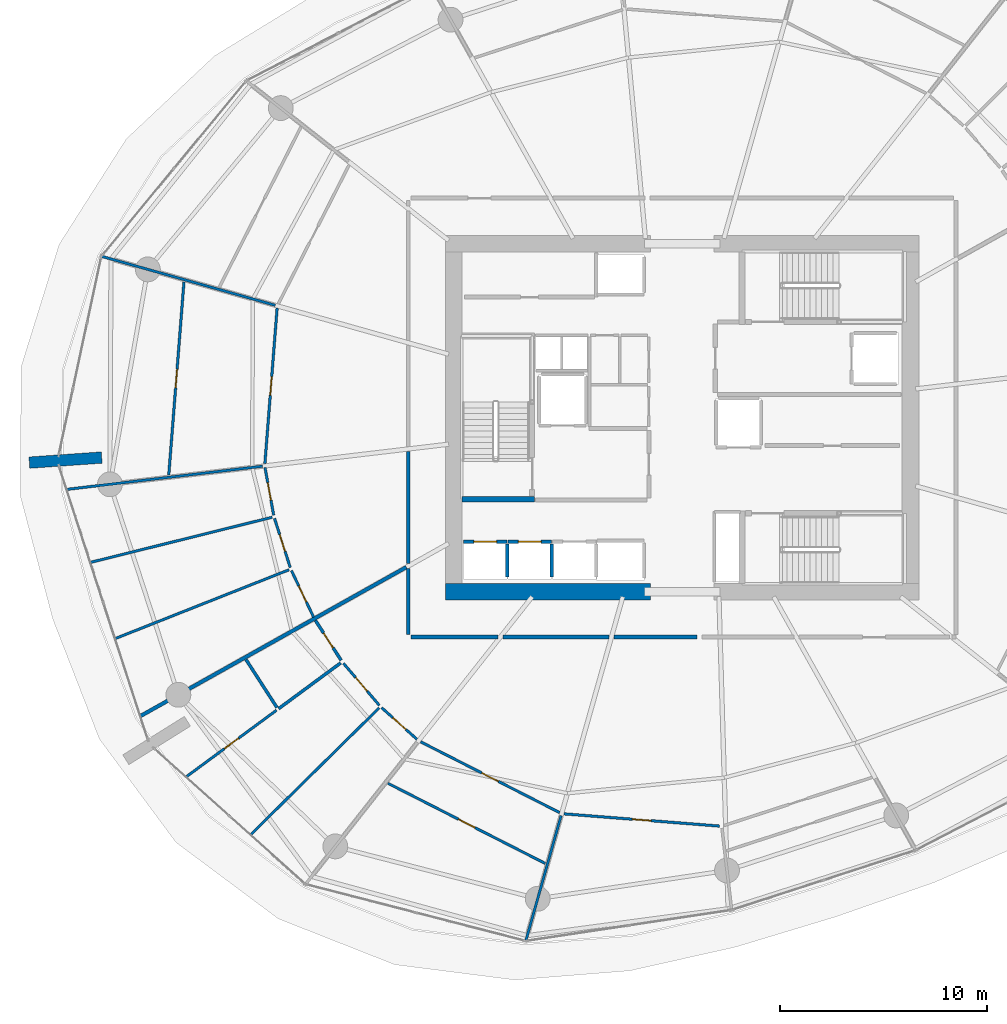
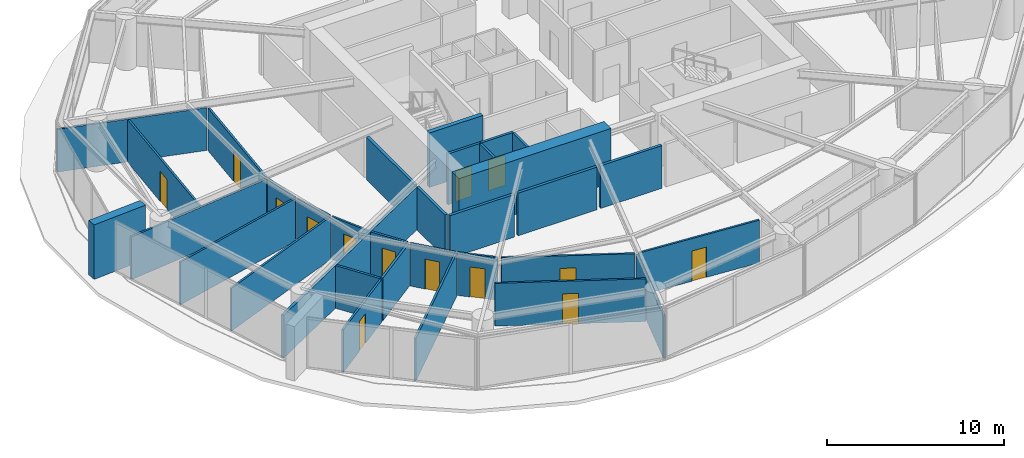
# One storey, part 12 of 17: 33 walls, 14 doors, 14 openings.
"""IFC4 building model written with IfcOpenShell, lengths in metres."""

from ifc_helpers import new_model, si_unit, direction, frame, frame_2d, origin, place, context, subcontext, project, spatial, rectangle, extrude, material, layer, layer_set, type_object, element, fill, save


model = new_model("IFC4")

# Units and contexts
model_context = context("Model", 3, precision=1e-05, world=origin(), true_north=direction((0.0, 1.0)))
body_context = subcontext(model_context, "Body", "Model", "MODEL_VIEW")
ifc_project = project(units=[si_unit("LENGTHUNIT", "METRE"), si_unit("AREAUNIT", "SQUARE_METRE"), si_unit("VOLUMEUNIT", "CUBIC_METRE"), si_unit("PLANEANGLEUNIT", "RADIAN"), si_unit("MASSUNIT", "GRAM", prefix="KILO")], contexts=[model_context])

# Site, building, storey
site_placement = place(None, origin())
site = spatial("IfcSite", under=ifc_project, at=site_placement, CompositionType="ELEMENT")
building_placement = place(site_placement, origin())
building = spatial("IfcBuilding", under=site, at=building_placement, Name="Kazma Halo Residences", CompositionType="ELEMENT")
storey_placement = place(building_placement, frame((0.0, 0.0, 75.14990234375)))
storey = spatial("IfcBuildingStorey", under=building, at=storey_placement, Name="L18", CompositionType="ELEMENT", Elevation=75.14990234375)

# Walls
ifc_material_1 = material(Name="Pale Concrete C60/75", Category="concrete")
ifc_layer_1 = layer(ifc_material_1, 0.550048828125)
ifc_layer_set_1 = layer_set([ifc_layer_1], Name="Pale Concrete C60/75")
wall_type_1 = type_object("IfcWallType", Name="WL-BLADE-550", PredefinedType="SOLIDWALL", material=ifc_layer_set_1)
wall_1_placement = place(storey_placement, frame((20.393798828125, 40.069580078125, 0.0), z_axis=(0.0, 0.0, 1.0), x_axis=(-0.997564163539, -0.069754853754, 0.0)))
element("IfcWall", 1, at=wall_1_placement, inside=storey, type_object=wall_type_1, Name="L18 pale concrete structural blade fin wall BW-02", PredefinedType="SOLIDWALL", context=body_context, shape_type="SweptSolid", body=[
    extrude(rectangle(XDim=3.5, YDim=0.550048828125, at=frame_2d((1.75, 0.0))), origin(), (0.0, 0.0, 1.0), 3.75),
])
ifc_material_2 = material(Name="Concrete C80/95", Category="concrete")
ifc_layer_2 = layer(ifc_material_2, 0.800048828125)
ifc_layer_set_2 = layer_set([ifc_layer_2], Name="Concrete C80/95")
wall_type_2 = type_object("IfcWallType", Name="WL-CORE-800", PredefinedType="SHEAR", material=ifc_layer_set_2)
wall_2_placement = place(storey_placement, frame((37.0, 33.60009765625, 0.0), z_axis=(0.0, 0.0, 1.0), x_axis=(1.0, 0.0, 0.0)))
element("IfcWall", 2, at=wall_2_placement, inside=storey, type_object=wall_type_2, Name="L18 central core shear wall SW", PredefinedType="SHEAR", context=body_context, shape_type="SweptSolid", body=[
    extrude(rectangle(XDim=9.89990234375, YDim=0.800048828125, at=frame_2d((4.949951171875, 0.0))), origin(), (0.0, 0.0, 1.0), 3.75),
])
ifc_material_3 = material(Name="Concrete C60/75", Category="concrete")
ifc_layer_3 = layer(ifc_material_3, 0.280029296875)
ifc_layer_set_3 = layer_set([ifc_layer_3], Name="Concrete C60/75")
wall_type_3 = type_object("IfcWallType", Name="WL-CORE-ST-280", PredefinedType="SHEAR", material=ifc_layer_set_3)
wall_3_placement = place(storey_placement, frame((37.800048828125, 38.06005859375, 0.0), z_axis=(0.0, 0.0, 1.0), x_axis=(1.0, 0.0, 0.0)))
element("IfcWall", 3, at=wall_3_placement, inside=storey, type_object=wall_type_3, Name="L18 stairwell bearing wall ST01-S", PredefinedType="SHEAR", context=body_context, shape_type="SweptSolid", body=[
    extrude(rectangle(XDim=3.5, YDim=0.280029296875, at=frame_2d((1.75, 0.0))), origin(), (0.0, 0.0, 1.0), 3.75),
])
ifc_material_4 = material(Name="Acoustic Twin-Stud Gypsum")
ifc_layer_4 = layer(ifc_material_4, 0.179931640625)
ifc_layer_set_4 = layer_set([ifc_layer_4], Name="Acoustic Twin-Stud Gypsum")
wall_type_4 = type_object("IfcWallType", Name="WL-DEM-180", PredefinedType="PARTITIONING", material=ifc_layer_set_4)
wall_4_placement = place(storey_placement, frame((35.10400390625, 34.778076171875, 0.0), z_axis=(0.0, 0.0, 1.0), x_axis=(-0.872490437896, -0.488631185845, 0.0)))
element("IfcWall", 4, at=wall_4_placement, inside=storey, type_object=wall_type_4, Name="L18 apartment demising radial wall 08", PredefinedType="PARTITIONING", context=body_context, shape_type="SweptSolid", body=[
    extrude(rectangle(XDim=14.698974609375, YDim=0.179931640625, at=frame_2d((7.349609375, 0.0))), origin(), (0.0, 0.0, 1.0), 2.940185546875),
])
wall_5_placement = place(storey_placement, frame((35.199951171875, 40.364990234375, 0.0), z_axis=(0.0, 0.0, 1.0), x_axis=(0.0, -1.0, 0.0)))
element("IfcWall", 5, at=wall_5_placement, inside=storey, type_object=wall_type_4, Name="L18 Apartment 1 inner wall 7", PredefinedType="PARTITIONING", context=body_context, shape_type="SweptSolid", body=[
    extrude(rectangle(XDim=5.413330078125, YDim=0.179931640625, at=frame_2d((2.70654296875, 0.0))), origin(), (0.0, 0.0, 1.0), 2.940185546875),
])
wall_6_placement = place(storey_placement, frame((35.199951171875, 34.711669921875, 0.0), z_axis=(0.0, 0.0, 1.0), x_axis=(0.0, -1.0, 0.0)))
element("IfcWall", 6, at=wall_6_placement, inside=storey, type_object=wall_type_4, Name="L18 Apartment 2 inner wall 8", PredefinedType="PARTITIONING", context=body_context, shape_type="SweptSolid", body=[
    extrude(rectangle(XDim=3.191650390625, YDim=0.179931640625, at=frame_2d((1.595703125, 0.0))), origin(), (0.0, 0.0, 1.0), 2.940185546875),
])
wall_7_placement = place(storey_placement, frame((35.320068359375, 31.39990234375, 0.0), z_axis=(0.0, 0.0, 1.0), x_axis=(1.0, 0.0, 0.0)))
element("IfcWall", 7, at=wall_7_placement, inside=storey, type_object=wall_type_4, Name="L18 Apartment 2 inner wall 8", PredefinedType="PARTITIONING", context=body_context, shape_type="SweptSolid", body=[
    extrude(rectangle(XDim=4.20361328125, YDim=0.179931640625, at=frame_2d((2.101806640625, 0.0))), origin(), (0.0, 0.0, 1.0), 2.940185546875),
])
wall_8_placement = place(storey_placement, frame((39.763671875, 31.39990234375, 0.0), z_axis=(0.0, 0.0, 1.0), x_axis=(1.0, 0.0, 0.0)))
element("IfcWall", 8, at=wall_8_placement, inside=storey, type_object=wall_type_4, Name="L18 Apartment 2 inner wall 9", PredefinedType="PARTITIONING", context=body_context, shape_type="SweptSolid", body=[
    extrude(rectangle(XDim=5.126708984375, YDim=0.179931640625, at=frame_2d((2.5634765625, 0.0))), origin(), (0.0, 0.0, 1.0), 2.940185546875),
])
wall_9_placement = place(storey_placement, frame((45.130615234375, 31.39990234375, 0.0), z_axis=(0.0, 0.0, 1.0), x_axis=(1.0, 0.0, 0.0)))
element("IfcWall", 9, at=wall_9_placement, inside=storey, type_object=wall_type_4, Name="L18 Apartment 2 inner wall 10", PredefinedType="PARTITIONING", context=body_context, shape_type="SweptSolid", body=[
    extrude(rectangle(XDim=4.00390625, YDim=0.179931640625, at=frame_2d((2.001953125, 0.0))), origin(), (0.0, 0.0, 1.0), 2.940185546875),
])

# Wall, opening, door
ifc_material_5 = material(Name="Fire-Rated Blockwork Masonry", Category="masonry")
ifc_layer_5 = layer(ifc_material_5, 0.199951171875)
ifc_layer_set_5 = layer_set([ifc_layer_5], Name="Fire-Rated Blockwork Masonry")
wall_type_5 = type_object("IfcWallType", Name="WL-FLB-200", PredefinedType="PARTITIONING", material=ifc_layer_set_5)
wall_10_placement = place(storey_placement, frame((37.864990234375, 36.0048828125, 0.0), z_axis=(0.0, 0.0, 1.0), x_axis=(1.0, 0.0, 0.0)))
wall_10 = element("IfcWall", 10, at=wall_10_placement, inside=storey, type_object=wall_type_5, Name="L18 lift shaft PL-01 front wall", PredefinedType="PARTITIONING", context=body_context, shape_type="SweptSolid", body=[
    extrude(rectangle(XDim=2.110107421875, YDim=0.159912109375, at=frame_2d((1.05517578125, 0.0))), origin(), (0.0, 0.0, 1.0), 3.5),
])
opening_1_placement = place(wall_10_placement, frame((0.5048828125, 0.0, 0.0)))
opening_1 = element("IfcOpeningElement", 11, at=opening_1_placement, cuts=wall_10, Name="Opening LD-PL-01", PredefinedType="OPENING", context=body_context, shape_type="SweptSolid", body=[
    extrude(rectangle(XDim=1.10009765625, YDim=2.10009765625, at=frame_2d((0.550048828125, 1.050048828125))), frame((0.0, 0.08984375, 0.0), z_axis=(0.0, -1.0, 0.0), x_axis=(1.0, 0.0, 0.0)), (0.0, 0.0, 1.0), 0.179931640625),
])
ifc_material_6 = material(Name="Stainless Steel Fire-Rated", Category="steel")
door_type_1 = type_object("IfcDoorType", Name="DR-LIFT-SLD-1100", OperationType="DOUBLE_DOOR_SLIDING", PredefinedType="DOOR", material=ifc_material_6)
door_1_placement = place(opening_1_placement, origin())
door_1 = element("IfcDoor", 12, at=door_1_placement, inside=storey, type_object=door_type_1, Name="L18 lift PL-01 sliding landing door", OperationType="DOUBLE_DOOR_SLIDING", OverallHeight=2.10009765625, OverallWidth=1.10009765625, PredefinedType="DOOR", context=body_context, shape_type="SweptSolid", body=[
    extrude(rectangle(XDim=1.10009765625, YDim=2.10009765625, at=frame_2d((0.550048828125, 1.050048828125))), frame((0.0, 0.02490234375, 0.0), z_axis=(0.0, -1.0, 0.0), x_axis=(1.0, 0.0, 0.0)), (0.0, 0.0, 1.0), 0.050048828125),
])
fill(opening_1, door_1)

# Wall
wall_11_placement = place(storey_placement, frame((39.97509765625, 34.294921875, 0.0), z_axis=(0.0, 0.0, 1.0), x_axis=(0.0, 1.0, 0.0)))
element("IfcWall", 13, at=wall_11_placement, inside=storey, type_object=wall_type_5, Name="L18 lift shaft PL-01 side wall E", PredefinedType="PARTITIONING", context=body_context, shape_type="SweptSolid", body=[
    extrude(rectangle(XDim=1.610107421875, YDim=0.159912109375, at=frame_2d((0.80517578125, 0.0))), origin(), (0.0, 0.0, 1.0), 3.5),
])

# Wall, opening, door
wall_12_placement = place(storey_placement, frame((40.014892578125, 36.0048828125, 0.0), z_axis=(0.0, 0.0, 1.0), x_axis=(1.0, 0.0, 0.0)))
wall_12 = element("IfcWall", 14, at=wall_12_placement, inside=storey, type_object=wall_type_5, Name="L18 lift shaft PL-02 front wall", PredefinedType="PARTITIONING", context=body_context, shape_type="SweptSolid", body=[
    extrude(rectangle(XDim=2.110107421875, YDim=0.159912109375, at=frame_2d((1.05517578125, 0.0))), origin(), (0.0, 0.0, 1.0), 3.5),
])
opening_2_placement = place(wall_12_placement, frame((0.5048828125, 0.0, 0.0)))
opening_2 = element("IfcOpeningElement", 15, at=opening_2_placement, cuts=wall_12, Name="Opening LD-PL-02", PredefinedType="OPENING", context=body_context, shape_type="SweptSolid", body=[
    extrude(rectangle(XDim=1.10009765625, YDim=2.10009765625, at=frame_2d((0.550048828125, 1.050048828125))), frame((0.0, 0.08984375, 0.0), z_axis=(0.0, -1.0, 0.0), x_axis=(1.0, 0.0, 0.0)), (0.0, 0.0, 1.0), 0.179931640625),
])
door_2_placement = place(opening_2_placement, origin())
door_2 = element("IfcDoor", 16, at=door_2_placement, inside=storey, type_object=door_type_1, Name="L18 lift PL-02 sliding landing door", OperationType="DOUBLE_DOOR_SLIDING", OverallHeight=2.10009765625, OverallWidth=1.10009765625, PredefinedType="DOOR", context=body_context, shape_type="SweptSolid", body=[
    extrude(rectangle(XDim=1.10009765625, YDim=2.10009765625, at=frame_2d((0.550048828125, 1.050048828125))), frame((0.0, 0.02490234375, 0.0), z_axis=(0.0, -1.0, 0.0), x_axis=(1.0, 0.0, 0.0)), (0.0, 0.0, 1.0), 0.050048828125),
])
fill(opening_2, door_2)

# Walls
wall_13_placement = place(storey_placement, frame((42.125, 34.294921875, 0.0), z_axis=(0.0, 0.0, 1.0), x_axis=(0.0, 1.0, 0.0)))
element("IfcWall", 17, at=wall_13_placement, inside=storey, type_object=wall_type_5, Name="L18 lift shaft PL-02 side wall E", PredefinedType="PARTITIONING", context=body_context, shape_type="SweptSolid", body=[
    extrude(rectangle(XDim=1.610107421875, YDim=0.159912109375, at=frame_2d((0.80517578125, 0.0))), origin(), (0.0, 0.0, 1.0), 3.5),
])
ifc_material_7 = material(Name="Gypsum Plasterboard Partition")
ifc_layer_6 = layer(ifc_material_7, 0.125)
ifc_layer_set_6 = layer_set([ifc_layer_6], Name="Gypsum Plasterboard Partition")
wall_type_6 = type_object("IfcWallType", Name="WL-PART-125", PredefinedType="PARTITIONING", material=ifc_layer_set_6)
wall_14_placement = place(storey_placement, frame((28.77783203125, 47.421142578125, 0.0), z_axis=(0.0, 0.0, 1.0), x_axis=(-0.962454564098, 0.271442833847, 0.0)))
element("IfcWall", 18, at=wall_14_placement, inside=storey, type_object=wall_type_6, Name="L18 Apartment 1 radial partition 6", PredefinedType="PARTITIONING", context=body_context, shape_type="SweptSolid", body=[
    extrude(rectangle(XDim=8.69921875, YDim=0.125, at=frame_2d((4.349609375, 0.0))), origin(), (0.0, 0.0, 1.0), 2.940185546875),
])

# Wall, opening, door
wall_15_placement = place(storey_placement, frame((28.865478515625, 47.284423828125, 0.0), z_axis=(0.0, 0.0, 1.0), x_axis=(-0.078455855487, -0.99691758874, 0.0)))
wall_15 = element("IfcWall", 19, at=wall_15_placement, inside=storey, type_object=wall_type_6, Name="L18 Apartment 1 Garden Dressing Wardrobe hall wall", PredefinedType="PARTITIONING", context=body_context, shape_type="SweptSolid", body=[
    extrude(rectangle(XDim=7.53369140625, YDim=0.125, at=frame_2d((3.766845703125, 0.0))), origin(), (0.0, 0.0, 1.0), 2.940185546875),
])
opening_3_placement = place(wall_15_placement, frame((3.31689453125, 0.0, 0.0)))
opening_3 = element("IfcOpeningElement", 20, at=opening_3_placement, cuts=wall_15, Name="Opening DI-950", PredefinedType="OPENING", context=body_context, shape_type="SweptSolid", body=[
    extrude(rectangle(XDim=0.89990234375, YDim=2.080078125, at=frame_2d((0.449951171875, 1.0400390625))), frame((0.0, 0.072509765625, 0.0), z_axis=(0.0, -1.0, 0.0), x_axis=(1.0, 0.0, 0.0)), (0.0, 0.0, 1.0), 0.14501953125),
])
ifc_material_8 = material(Name="Timber Veneer Flush Leaf", Category="wood")
door_type_2 = type_object("IfcDoorType", Name="DR-INT-950", OperationType="NOTDEFINED", PredefinedType="DOOR", material=ifc_material_8)
door_3_placement = place(opening_3_placement, origin())
door_3 = element("IfcDoor", 21, at=door_3_placement, inside=storey, type_object=door_type_2, Name="L18 Apartment 1 Garden Dressing Wardrobe door", OperationType="SINGLE_SWING_LEFT", OverallHeight=2.080078125, OverallWidth=0.89990234375, PredefinedType="DOOR", context=body_context, shape_type="SweptSolid", body=[
    extrude(rectangle(XDim=0.89990234375, YDim=2.080078125, at=frame_2d((0.449951171875, 1.0400390625))), frame((0.0, 0.02490234375, 0.0), z_axis=(0.0, -1.0, 0.0), x_axis=(1.0, 0.0, 0.0)), (0.0, 0.0, 1.0), 0.050048828125),
])
fill(opening_3, door_3)

wall_16_placement = place(storey_placement, frame((24.366943359375, 48.552978515625, 0.0), z_axis=(0.0, 0.0, 1.0), x_axis=(-0.078456152193, -0.99691756539, 0.0)))
wall_16 = element("IfcWall", 22, at=wall_16_placement, inside=storey, type_object=wall_type_6, Name="L18 Apartment 1 Sky Master Bedroom divider wall", PredefinedType="PARTITIONING", context=body_context, shape_type="SweptSolid", body=[
    extrude(rectangle(XDim=9.357177734375, YDim=0.125, at=frame_2d((4.6787109375, 0.0))), origin(), (0.0, 0.0, 1.0), 2.940185546875),
])
opening_4_placement = place(wall_16_placement, frame((4.228759765625, 0.0, 0.0)))
opening_4 = element("IfcOpeningElement", 23, at=opening_4_placement, cuts=wall_16, Name="Opening DI-950", PredefinedType="OPENING", context=body_context, shape_type="SweptSolid", body=[
    extrude(rectangle(XDim=0.89990234375, YDim=2.080078125, at=frame_2d((0.449951171875, 1.0400390625))), frame((0.0, 0.072509765625, 0.0), z_axis=(0.0, -1.0, 0.0), x_axis=(1.0, 0.0, 0.0)), (0.0, 0.0, 1.0), 0.14501953125),
])
door_4_placement = place(opening_4_placement, origin())
door_4 = element("IfcDoor", 24, at=door_4_placement, inside=storey, type_object=door_type_2, Name="L18 Apartment 1 Sky Master Bedroom door", OperationType="SINGLE_SWING_RIGHT", OverallHeight=2.080078125, OverallWidth=0.89990234375, PredefinedType="DOOR", context=body_context, shape_type="SweptSolid", body=[
    extrude(rectangle(XDim=0.89990234375, YDim=2.080078125, at=frame_2d((0.449951171875, 1.0400390625))), frame((0.0, 0.02490234375, 0.0), z_axis=(0.0, -1.0, 0.0), x_axis=(1.0, 0.0, 0.0)), (0.0, 0.0, 1.0), 0.050048828125),
])
fill(opening_4, door_4)

# Walls
wall_17_placement = place(storey_placement, frame((28.16650390625, 39.652587890625, 0.0), z_axis=(0.0, 0.0, 1.0), x_axis=(-0.993068855081, -0.11753403366, 0.0)))
element("IfcWall", 25, at=wall_17_placement, inside=storey, type_object=wall_type_6, Name="L18 Apartment 1 radial partition 7", PredefinedType="PARTITIONING", context=body_context, shape_type="SweptSolid", body=[
    extrude(rectangle(XDim=9.50732421875, YDim=0.125, at=frame_2d((4.753662109375, 0.0))), origin(), (0.0, 0.0, 1.0), 2.940185546875),
])
wall_18_placement = place(storey_placement, frame((28.626708984375, 37.187744140625, 0.0), z_axis=(0.0, 0.0, 1.0), x_axis=(-0.970502732539, -0.241090120359, 0.0)))
element("IfcWall", 26, at=wall_18_placement, inside=storey, type_object=wall_type_6, Name="L18 Apartment 1 bay wall 1 7", PredefinedType="PARTITIONING", context=body_context, shape_type="SweptSolid", body=[
    extrude(rectangle(XDim=9.022705078125, YDim=0.125, at=frame_2d((4.51123046875, 0.0))), origin(), (0.0, 0.0, 1.0), 2.940185546875),
])
wall_19_placement = place(storey_placement, frame((29.439697265625, 34.651611328125, 0.0), z_axis=(0.0, 0.0, 1.0), x_axis=(-0.929775691904, -0.368126558053, 0.0)))
element("IfcWall", 27, at=wall_19_placement, inside=storey, type_object=wall_type_6, Name="L18 Apartment 1 bay wall 2 7", PredefinedType="PARTITIONING", context=body_context, shape_type="SweptSolid", body=[
    extrude(rectangle(XDim=9.007568359375, YDim=0.125, at=frame_2d((4.50390625, 0.0))), origin(), (0.0, 0.0, 1.0), 2.940185546875),
])

# Wall, opening, door
wall_20_placement = place(storey_placement, frame((28.280029296875, 39.585693359375, 0.0), z_axis=(0.0, 0.0, 1.0), x_axis=(0.179685654399, -0.983724080016, 0.0)))
wall_20 = element("IfcWall", 28, at=wall_20_placement, inside=storey, type_object=wall_type_6, Name="L18 Apartment 1 Secondary Bedroom hall wall", PredefinedType="PARTITIONING", context=body_context, shape_type="SweptSolid", body=[
    extrude(rectangle(XDim=2.335693359375, YDim=0.125, at=frame_2d((1.16796875, 0.0))), origin(), (0.0, 0.0, 1.0), 2.940185546875),
])
opening_5_placement = place(wall_20_placement, frame((0.742919921875, 0.0, 0.0)))
opening_5 = element("IfcOpeningElement", 29, at=opening_5_placement, cuts=wall_20, Name="Opening DB-900", PredefinedType="OPENING", context=body_context, shape_type="SweptSolid", body=[
    extrude(rectangle(XDim=0.85009765625, YDim=2.06005859375, at=frame_2d((0.425048828125, 1.030029296875))), frame((0.0, 0.072509765625, 0.0), z_axis=(0.0, -1.0, 0.0), x_axis=(1.0, 0.0, 0.0)), (0.0, 0.0, 1.0), 0.14501953125),
])
ifc_material_9 = material(Name="Moisture-Sealed Timber Leaf", Category="wood")
door_type_3 = type_object("IfcDoorType", Name="DR-BTH-900", OperationType="NOTDEFINED", PredefinedType="DOOR", material=ifc_material_9)
door_5_placement = place(opening_5_placement, origin())
door_5 = element("IfcDoor", 30, at=door_5_placement, inside=storey, type_object=door_type_3, Name="L18 Apartment 1 Secondary Bedroom door", OperationType="SINGLE_SWING_LEFT", OverallHeight=2.06005859375, OverallWidth=0.85009765625, PredefinedType="DOOR", context=body_context, shape_type="SweptSolid", body=[
    extrude(rectangle(XDim=0.85009765625, YDim=2.06005859375, at=frame_2d((0.425048828125, 1.030029296875))), frame((0.0, 0.02490234375, 0.0), z_axis=(0.0, -1.0, 0.0), x_axis=(1.0, 0.0, 0.0)), (0.0, 0.0, 1.0), 0.050048828125),
])
fill(opening_5, door_5)

wall_21_placement = place(storey_placement, frame((28.738525390625, 37.13330078125, 0.0), z_axis=(0.0, 0.0, 1.0), x_axis=(0.305241467148, -0.95227498483, 0.0)))
wall_21 = element("IfcWall", 31, at=wall_21_placement, inside=storey, type_object=wall_type_6, Name="L18 Apartment 1 East Study hall wall", PredefinedType="PARTITIONING", context=body_context, shape_type="SweptSolid", body=[
    extrude(rectangle(XDim=2.491455078125, YDim=0.125, at=frame_2d((1.24560546875, 0.0))), origin(), (0.0, 0.0, 1.0), 2.940185546875),
])
opening_6_placement = place(wall_21_placement, frame((0.82080078125, 0.0, 0.0)))
opening_6 = element("IfcOpeningElement", 32, at=opening_6_placement, cuts=wall_21, Name="Opening DB-900", PredefinedType="OPENING", context=body_context, shape_type="SweptSolid", body=[
    extrude(rectangle(XDim=0.85009765625, YDim=2.06005859375, at=frame_2d((0.425048828125, 1.030029296875))), frame((0.0, 0.072509765625, 0.0), z_axis=(0.0, -1.0, 0.0), x_axis=(1.0, 0.0, 0.0)), (0.0, 0.0, 1.0), 0.14501953125),
])
door_6_placement = place(opening_6_placement, origin())
door_6 = element("IfcDoor", 33, at=door_6_placement, inside=storey, type_object=door_type_3, Name="L18 Apartment 1 East Study door", OperationType="SINGLE_SWING_RIGHT", OverallHeight=2.06005859375, OverallWidth=0.85009765625, PredefinedType="DOOR", context=body_context, shape_type="SweptSolid", body=[
    extrude(rectangle(XDim=0.85009765625, YDim=2.06005859375, at=frame_2d((0.425048828125, 1.030029296875))), frame((0.0, 0.02490234375, 0.0), z_axis=(0.0, -1.0, 0.0), x_axis=(1.0, 0.0, 0.0)), (0.0, 0.0, 1.0), 0.050048828125),
])
fill(opening_6, door_6)

wall_22_placement = place(storey_placement, frame((29.557861328125, 34.6123046875, 0.0), z_axis=(0.0, 0.0, 1.0), x_axis=(0.429328650511, -0.903148332142, 0.0)))
wall_22 = element("IfcWall", 34, at=wall_22_placement, inside=storey, type_object=wall_type_6, Name="L18 Apartment 1 West Bedroom hall wall", PredefinedType="PARTITIONING", context=body_context, shape_type="SweptSolid", body=[
    extrude(rectangle(XDim=2.4912109375, YDim=0.125, at=frame_2d((1.24560546875, 0.0))), origin(), (0.0, 0.0, 1.0), 2.940185546875),
])
opening_7_placement = place(wall_22_placement, frame((0.820556640625, 0.0, 0.0)))
opening_7 = element("IfcOpeningElement", 35, at=opening_7_placement, cuts=wall_22, Name="Opening DB-900", PredefinedType="OPENING", context=body_context, shape_type="SweptSolid", body=[
    extrude(rectangle(XDim=0.85009765625, YDim=2.06005859375, at=frame_2d((0.425048828125, 1.030029296875))), frame((0.0, 0.072509765625, 0.0), z_axis=(0.0, -1.0, 0.0), x_axis=(1.0, 0.0, 0.0)), (0.0, 0.0, 1.0), 0.14501953125),
])
door_7_placement = place(opening_7_placement, origin())
door_7 = element("IfcDoor", 36, at=door_7_placement, inside=storey, type_object=door_type_3, Name="L18 Apartment 1 West Bedroom door", OperationType="SINGLE_SWING_LEFT", OverallHeight=2.06005859375, OverallWidth=0.85009765625, PredefinedType="DOOR", context=body_context, shape_type="SweptSolid", body=[
    extrude(rectangle(XDim=0.85009765625, YDim=2.06005859375, at=frame_2d((0.425048828125, 1.030029296875))), frame((0.0, 0.02490234375, 0.0), z_axis=(0.0, -1.0, 0.0), x_axis=(1.0, 0.0, 0.0)), (0.0, 0.0, 1.0), 0.050048828125),
])
fill(opening_7, door_7)

wall_23_placement = place(storey_placement, frame((28.835205078125, 27.867919921875, 0.0), z_axis=(0.0, 0.0, 1.0), x_axis=(-0.80483794631, -0.593494633656, 0.0)))
wall_23 = element("IfcWall", 37, at=wall_23_placement, inside=storey, type_object=wall_type_6, Name="L18 Apartment 2 Utility Laundry Room partition wall", PredefinedType="PARTITIONING", context=body_context, shape_type="SweptSolid", body=[
    extrude(rectangle(XDim=5.40869140625, YDim=0.125, at=frame_2d((2.704345703125, 0.0))), origin(), (0.0, 0.0, 1.0), 2.940185546875),
])
opening_8_placement = place(wall_23_placement, frame((2.279296875, 0.0, 0.0)))
opening_8 = element("IfcOpeningElement", 38, at=opening_8_placement, cuts=wall_23, Name="Opening DB-900", PredefinedType="OPENING", context=body_context, shape_type="SweptSolid", body=[
    extrude(rectangle(XDim=0.85009765625, YDim=2.06005859375, at=frame_2d((0.425048828125, 1.030029296875))), frame((0.0, 0.072509765625, 0.0), z_axis=(0.0, -1.0, 0.0), x_axis=(1.0, 0.0, 0.0)), (0.0, 0.0, 1.0), 0.14501953125),
])
door_8_placement = place(opening_8_placement, origin())
door_8 = element("IfcDoor", 39, at=door_8_placement, inside=storey, type_object=door_type_3, Name="L18 Apartment 2 Utility Laundry Room door", OperationType="SINGLE_SWING_RIGHT", OverallHeight=2.06005859375, OverallWidth=0.85009765625, PredefinedType="DOOR", context=body_context, shape_type="SweptSolid", body=[
    extrude(rectangle(XDim=0.85009765625, YDim=2.06005859375, at=frame_2d((0.425048828125, 1.030029296875))), frame((0.0, 0.02490234375, 0.0), z_axis=(0.0, -1.0, 0.0), x_axis=(1.0, 0.0, 0.0)), (0.0, 0.0, 1.0), 0.050048828125),
])
fill(opening_8, door_8)

# Wall
wall_24_placement = place(storey_placement, frame((33.7900390625, 27.97998046875, 0.0), z_axis=(0.0, 0.0, 1.0), x_axis=(-0.71184503357, -0.702336563324, 0.0)))
element("IfcWall", 40, at=wall_24_placement, inside=storey, type_object=wall_type_6, Name="L18 Apartment 2 suite divider 8", PredefinedType="PARTITIONING", context=body_context, shape_type="SweptSolid", body=[
    extrude(rectangle(XDim=8.7041015625, YDim=0.125, at=frame_2d((4.35205078125, 0.0))), origin(), (0.0, 0.0, 1.0), 2.940185546875),
])

# Wall, opening, door
wall_25_placement = place(storey_placement, frame((32.064697265625, 30.1376953125, 0.0), z_axis=(0.0, 0.0, 1.0), x_axis=(0.649580392005, -0.760292913503, 0.0)))
wall_25 = element("IfcWall", 41, at=wall_25_placement, inside=storey, type_object=wall_type_6, Name="L18 Apartment 2 Gourmet Kitchen hall wall", PredefinedType="PARTITIONING", context=body_context, shape_type="SweptSolid", body=[
    extrude(rectangle(XDim=2.6748046875, YDim=0.125, at=frame_2d((1.33740234375, 0.0))), origin(), (0.0, 0.0, 1.0), 2.940185546875),
])
opening_9_placement = place(wall_25_placement, frame((0.91259765625, 0.0, 0.0)))
opening_9 = element("IfcOpeningElement", 42, at=opening_9_placement, cuts=wall_25, Name="Opening DB-900", PredefinedType="OPENING", context=body_context, shape_type="SweptSolid", body=[
    extrude(rectangle(XDim=0.85009765625, YDim=2.06005859375, at=frame_2d((0.425048828125, 1.030029296875))), frame((0.0, 0.072509765625, 0.0), z_axis=(0.0, -1.0, 0.0), x_axis=(1.0, 0.0, 0.0)), (0.0, 0.0, 1.0), 0.14501953125),
])
door_9_placement = place(opening_9_placement, origin())
door_9 = element("IfcDoor", 43, at=door_9_placement, inside=storey, type_object=door_type_3, Name="L18 Apartment 2 Gourmet Kitchen door", OperationType="SINGLE_SWING_LEFT", OverallHeight=2.06005859375, OverallWidth=0.85009765625, PredefinedType="DOOR", context=body_context, shape_type="SweptSolid", body=[
    extrude(rectangle(XDim=0.85009765625, YDim=2.06005859375, at=frame_2d((0.425048828125, 1.030029296875))), frame((0.0, 0.02490234375, 0.0), z_axis=(0.0, -1.0, 0.0), x_axis=(1.0, 0.0, 0.0)), (0.0, 0.0, 1.0), 0.050048828125),
])
fill(opening_9, door_9)

wall_26_placement = place(storey_placement, frame((33.913818359375, 27.989990234375, 0.0), z_axis=(0.0, 0.0, 1.0), x_axis=(0.745249666815, -0.666785523323, 0.0)))
wall_26 = element("IfcWall", 44, at=wall_26_placement, inside=storey, type_object=wall_type_6, Name="L18 Apartment 2 Primary Bedroom hall wall", PredefinedType="PARTITIONING", context=body_context, shape_type="SweptSolid", body=[
    extrude(rectangle(XDim=2.293212890625, YDim=0.125, at=frame_2d((1.146484375, 0.0))), origin(), (0.0, 0.0, 1.0), 2.940185546875),
])
opening_10_placement = place(wall_26_placement, frame((0.7216796875, 0.0, 0.0)))
opening_10 = element("IfcOpeningElement", 45, at=opening_10_placement, cuts=wall_26, Name="Opening DB-900", PredefinedType="OPENING", context=body_context, shape_type="SweptSolid", body=[
    extrude(rectangle(XDim=0.85009765625, YDim=2.06005859375, at=frame_2d((0.425048828125, 1.030029296875))), frame((0.0, 0.072509765625, 0.0), z_axis=(0.0, -1.0, 0.0), x_axis=(1.0, 0.0, 0.0)), (0.0, 0.0, 1.0), 0.14501953125),
])
door_10_placement = place(opening_10_placement, origin())
door_10 = element("IfcDoor", 46, at=door_10_placement, inside=storey, type_object=door_type_3, Name="L18 Apartment 2 Primary Bedroom door", OperationType="SINGLE_SWING_RIGHT", OverallHeight=2.06005859375, OverallWidth=0.85009765625, PredefinedType="DOOR", context=body_context, shape_type="SweptSolid", body=[
    extrude(rectangle(XDim=0.85009765625, YDim=2.06005859375, at=frame_2d((0.425048828125, 1.030029296875))), frame((0.0, 0.02490234375, 0.0), z_axis=(0.0, -1.0, 0.0), x_axis=(1.0, 0.0, 0.0)), (0.0, 0.0, 1.0), 0.050048828125),
])
fill(opening_10, door_10)

wall_27_placement = place(storey_placement, frame((35.79541015625, 26.34423828125, 0.0), z_axis=(0.0, 0.0, 1.0), x_axis=(0.891005117697, -0.453993260123, 0.0)))
wall_27 = element("IfcWall", 47, at=wall_27_placement, inside=storey, type_object=wall_type_6, Name="L18 Apartment 2 East Study hall wall", PredefinedType="PARTITIONING", context=body_context, shape_type="SweptSolid", body=[
    extrude(rectangle(XDim=7.533447265625, YDim=0.125, at=frame_2d((3.7666015625, 0.0))), origin(), (0.0, 0.0, 1.0), 2.940185546875),
])
opening_11_placement = place(wall_27_placement, frame((3.31689453125, 0.0, 0.0)))
opening_11 = element("IfcOpeningElement", 48, at=opening_11_placement, cuts=wall_27, Name="Opening DI-950", PredefinedType="OPENING", context=body_context, shape_type="SweptSolid", body=[
    extrude(rectangle(XDim=0.89990234375, YDim=2.080078125, at=frame_2d((0.449951171875, 1.0400390625))), frame((0.0, 0.072509765625, 0.0), z_axis=(0.0, -1.0, 0.0), x_axis=(1.0, 0.0, 0.0)), (0.0, 0.0, 1.0), 0.14501953125),
])
door_11_placement = place(opening_11_placement, origin())
door_11 = element("IfcDoor", 49, at=door_11_placement, inside=storey, type_object=door_type_2, Name="L18 Apartment 2 East Study door", OperationType="SINGLE_SWING_RIGHT", OverallHeight=2.080078125, OverallWidth=0.89990234375, PredefinedType="DOOR", context=body_context, shape_type="SweptSolid", body=[
    extrude(rectangle(XDim=0.89990234375, YDim=2.080078125, at=frame_2d((0.449951171875, 1.0400390625))), frame((0.0, 0.02490234375, 0.0), z_axis=(0.0, -1.0, 0.0), x_axis=(1.0, 0.0, 0.0)), (0.0, 0.0, 1.0), 0.050048828125),
])
fill(opening_11, door_11)

wall_28_placement = place(storey_placement, frame((34.216064453125, 24.3408203125, 0.0), z_axis=(0.0, 0.0, 1.0), x_axis=(0.891006508747, -0.453990530045, 0.0)))
wall_28 = element("IfcWall", 50, at=wall_28_placement, inside=storey, type_object=wall_type_6, Name="L18 Apartment 2 West Master Bedroom divider wall", PredefinedType="PARTITIONING", context=body_context, shape_type="SweptSolid", body=[
    extrude(rectangle(XDim=8.529052734375, YDim=0.125, at=frame_2d((4.2646484375, 0.0))), origin(), (0.0, 0.0, 1.0), 2.940185546875),
])
opening_12_placement = place(wall_28_placement, frame((3.814453125, 0.0, 0.0)))
opening_12 = element("IfcOpeningElement", 51, at=opening_12_placement, cuts=wall_28, Name="Opening DI-950", PredefinedType="OPENING", context=body_context, shape_type="SweptSolid", body=[
    extrude(rectangle(XDim=0.89990234375, YDim=2.080078125, at=frame_2d((0.449951171875, 1.0400390625))), frame((0.0, 0.072509765625, 0.0), z_axis=(0.0, -1.0, 0.0), x_axis=(1.0, 0.0, 0.0)), (0.0, 0.0, 1.0), 0.14501953125),
])
door_12_placement = place(opening_12_placement, origin())
door_12 = element("IfcDoor", 52, at=door_12_placement, inside=storey, type_object=door_type_2, Name="L18 Apartment 2 West Master Bedroom door", OperationType="SINGLE_SWING_LEFT", OverallHeight=2.080078125, OverallWidth=0.89990234375, PredefinedType="DOOR", context=body_context, shape_type="SweptSolid", body=[
    extrude(rectangle(XDim=0.89990234375, YDim=2.080078125, at=frame_2d((0.449951171875, 1.0400390625))), frame((0.0, 0.02490234375, 0.0), z_axis=(0.0, -1.0, 0.0), x_axis=(1.0, 0.0, 0.0)), (0.0, 0.0, 1.0), 0.050048828125),
])
fill(opening_12, door_12)

# Wall
wall_29_placement = place(storey_placement, frame((42.578857421875, 22.77783203125, 0.0), z_axis=(0.0, 0.0, 1.0), x_axis=(-0.271462015929, -0.962449153934, 0.0)))
element("IfcWall", 53, at=wall_29_placement, inside=storey, type_object=wall_type_6, Name="L18 Apartment 2 radial partition 10", PredefinedType="PARTITIONING", context=body_context, shape_type="SweptSolid", body=[
    extrude(rectangle(XDim=6.265869140625, YDim=0.125, at=frame_2d((3.1328125, 0.0))), origin(), (0.0, 0.0, 1.0), 2.940185546875),
])

# Wall, opening, door
wall_30_placement = place(storey_placement, frame((42.715576171875, 22.865478515625, 0.0), z_axis=(0.0, 0.0, 1.0), x_axis=(0.99691758874, -0.078455855487, 0.0)))
wall_30 = element("IfcWall", 54, at=wall_30_placement, inside=storey, type_object=wall_type_6, Name="L18 Apartment 2 North Formal Dining Room gallery wall", PredefinedType="PARTITIONING", context=body_context, shape_type="SweptSolid", body=[
    extrude(rectangle(XDim=7.53369140625, YDim=0.125, at=frame_2d((3.766845703125, 0.0))), origin(), (0.0, 0.0, 1.0), 2.940185546875),
])
opening_13_placement = place(wall_30_placement, frame((3.31689453125, 0.0, 0.0)))
opening_13 = element("IfcOpeningElement", 55, at=opening_13_placement, cuts=wall_30, Name="Opening DI-950", PredefinedType="OPENING", context=body_context, shape_type="SweptSolid", body=[
    extrude(rectangle(XDim=0.89990234375, YDim=2.080078125, at=frame_2d((0.449951171875, 1.0400390625))), frame((0.0, 0.072509765625, 0.0), z_axis=(0.0, -1.0, 0.0), x_axis=(1.0, 0.0, 0.0)), (0.0, 0.0, 1.0), 0.14501953125),
])
door_13_placement = place(opening_13_placement, origin())
door_13 = element("IfcDoor", 56, at=door_13_placement, inside=storey, type_object=door_type_2, Name="L18 Apartment 2 North Formal Dining Room door", OperationType="SINGLE_SWING_LEFT", OverallHeight=2.080078125, OverallWidth=0.89990234375, PredefinedType="DOOR", context=body_context, shape_type="SweptSolid", body=[
    extrude(rectangle(XDim=0.89990234375, YDim=2.080078125, at=frame_2d((0.449951171875, 1.0400390625))), frame((0.0, 0.02490234375, 0.0), z_axis=(0.0, -1.0, 0.0), x_axis=(1.0, 0.0, 0.0)), (0.0, 0.0, 1.0), 0.050048828125),
])
fill(opening_13, door_13)

ifc_material_10 = material(Name="Moisture-Resistant Gypsum")
ifc_layer_7 = layer(ifc_material_10, 0.14990234375)
ifc_layer_set_7 = layer_set([ifc_layer_7], Name="Moisture-Resistant Gypsum")
wall_type_7 = type_object("IfcWallType", Name="WL-WET-150", PredefinedType="PARTITIONING", material=ifc_layer_set_7)
wall_31_placement = place(storey_placement, frame((30.716064453125, 32.2060546875, 0.0), z_axis=(0.0, 0.0, 1.0), x_axis=(0.542114728224, -0.840304481389, 0.0)))
wall_31 = element("IfcWall", 57, at=wall_31_placement, inside=storey, type_object=wall_type_7, Name="L18 Apartment 2 Guest Bathroom hall wall", PredefinedType="PARTITIONING", context=body_context, shape_type="SweptSolid", body=[
    extrude(rectangle(XDim=2.2900390625, YDim=0.14990234375, at=frame_2d((1.14501953125, 0.0))), origin(), (0.0, 0.0, 1.0), 2.940185546875),
])
opening_14_placement = place(wall_31_placement, frame((0.719970703125, 0.0, 0.0)))
opening_14 = element("IfcOpeningElement", 58, at=opening_14_placement, cuts=wall_31, Name="Opening DB-900", PredefinedType="OPENING", context=body_context, shape_type="SweptSolid", body=[
    extrude(rectangle(XDim=0.85009765625, YDim=2.06005859375, at=frame_2d((0.425048828125, 1.030029296875))), frame((0.0, 0.0849609375, 0.0), z_axis=(0.0, -1.0, 0.0), x_axis=(1.0, 0.0, 0.0)), (0.0, 0.0, 1.0), 0.169921875),
])
door_14_placement = place(opening_14_placement, origin())
door_14 = element("IfcDoor", 59, at=door_14_placement, inside=storey, type_object=door_type_3, Name="L18 Apartment 2 Guest Bathroom door", OperationType="SINGLE_SWING_LEFT", OverallHeight=2.06005859375, OverallWidth=0.85009765625, PredefinedType="DOOR", context=body_context, shape_type="SweptSolid", body=[
    extrude(rectangle(XDim=0.85009765625, YDim=2.06005859375, at=frame_2d((0.425048828125, 1.030029296875))), frame((0.0, 0.02490234375, 0.0), z_axis=(0.0, -1.0, 0.0), x_axis=(1.0, 0.0, 0.0)), (0.0, 0.0, 1.0), 0.050048828125),
])
fill(opening_14, door_14)

# Walls
wall_32_placement = place(storey_placement, frame((27.356689453125, 30.324951171875, 0.0), z_axis=(0.0, 0.0, 1.0), x_axis=(0.54211081269, -0.840307007447, 0.0)))
element("IfcWall", 60, at=wall_32_placement, inside=storey, type_object=wall_type_7, Name="L18 Apartment 2 Guest Bathroom back wall", PredefinedType="PARTITIONING", context=body_context, shape_type="SweptSolid", body=[
    extrude(rectangle(XDim=2.7705078125, YDim=0.14990234375, at=frame_2d((1.38525390625, 0.0))), origin(), (0.0, 0.0, 1.0), 2.940185546875),
])
wall_33_placement = place(storey_placement, frame((31.933837890625, 30.15283203125, 0.0), z_axis=(0.0, 0.0, 1.0), x_axis=(-0.804856199216, -0.593469880097, 0.0)))
element("IfcWall", 61, at=wall_33_placement, inside=storey, type_object=wall_type_7, Name="L18 Apartment 2 Guest Bathroom side wall", PredefinedType="PARTITIONING", context=body_context, shape_type="SweptSolid", body=[
    extrude(rectangle(XDim=3.72021484375, YDim=0.14990234375, at=frame_2d((1.860107421875, 0.0))), origin(), (0.0, 0.0, 1.0), 2.940185546875),
])

save(model, "model.ifc")
